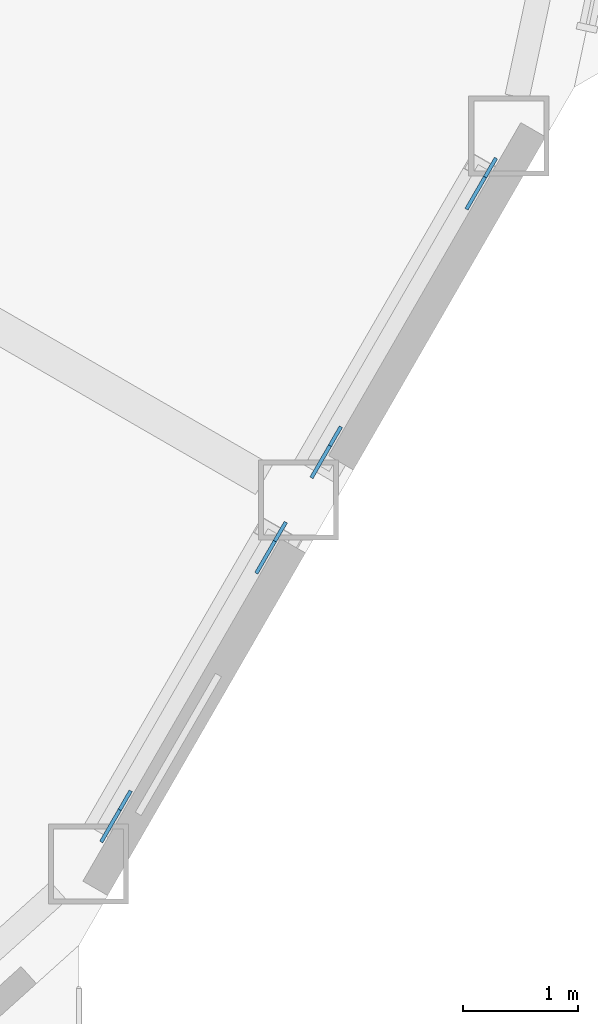
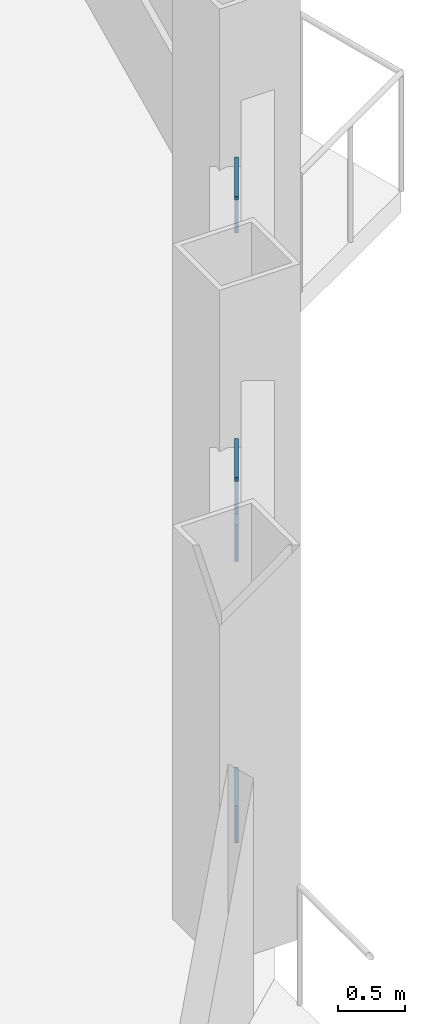
# One storey, part 17 of 24: 4 discrete accessories.
"""IFC4 building model written with IfcOpenShell, lengths in metres."""

from ifc_helpers import new_model, si_unit, direction, frame, origin, origin_2d, place, context, subcontext, project, spatial, rectangle, extrude, material, material_profile, profile_set, type_object, element, save


model = new_model("IFC4")

# Units and contexts
model_context = context("Model", 3, precision=1e-05, world=origin(), true_north=direction((0.0, 1.0)))
body_context = subcontext(model_context, "Body", "Model", "MODEL_VIEW")
ifc_project = project(units=[si_unit("LENGTHUNIT", "METRE"), si_unit("AREAUNIT", "SQUARE_METRE"), si_unit("VOLUMEUNIT", "CUBIC_METRE"), si_unit("PLANEANGLEUNIT", "RADIAN"), si_unit("MASSUNIT", "GRAM", prefix="KILO")], contexts=[model_context])

# Site, building, storey
site_placement = place(None, origin())
site = spatial("IfcSite", under=ifc_project, at=site_placement, CompositionType="ELEMENT")
building_placement = place(site_placement, origin())
building = spatial("IfcBuilding", under=site, at=building_placement, Name="Cormorant Prow Tower", CompositionType="ELEMENT")
storey_placement = place(building_placement, frame((0.0, 0.0, 238.199951171875)))
storey = spatial("IfcBuildingStorey", under=building, at=storey_placement, Name="L52", CompositionType="ELEMENT", Elevation=238.199951171875)

# Discrete accessories
ifc_material = material(Name="Structural steel ASTM A500 Gr C", Category="steel")
ifc_material_profile = material_profile(ifc_material, rectangle(XDim=0.031982421875, YDim=0.506103515625, at=origin_2d()), Name="Gusset plate 32x506")
ifc_profile_set = profile_set([ifc_material_profile], Name="Structural steel ASTM A500 Gr C")
discrete_accessory_type = type_object("IfcDiscreteAccessoryType", Name="Gusset plate 32x506", PredefinedType="BRACKET", material=ifc_profile_set)
discrete_accessory_1_placement = place(storey_placement, frame((26.262939453125, -18.658203125, 0.863037109375), z_axis=(-0.462949952395, -0.801795851286, -0.37788987078), x_axis=(0.866010015463, -0.500026652407, 0.0)))
element("IfcDiscreteAccessory", 1, at=discrete_accessory_1_placement, inside=storey, type_object=discrete_accessory_type, Name="Gusset plate GP2 L52.ESE00.g0", PredefinedType="BRACKET", context=body_context, shape_type="SweptSolid", body=[
    extrude(rectangle(XDim=0.031982421875, YDim=0.506103515625, at=origin_2d()), origin(), (0.0, 0.0, 1.0), 0.35009765625),
])
discrete_accessory_2_placement = place(storey_placement, frame((27.454833984375, -16.59375, 1.837890625), z_axis=(0.462538490196, 0.801593854051, 0.378821116405), x_axis=(-0.866147934042, 0.499787711288, 0.0)))
element("IfcDiscreteAccessory", 2, at=discrete_accessory_2_placement, inside=storey, type_object=discrete_accessory_type, Name="Gusset plate GP2 L52.ESE00.g1", PredefinedType="BRACKET", context=body_context, shape_type="SweptSolid", body=[
    extrude(rectangle(XDim=0.031982421875, YDim=0.506103515625, at=origin_2d()), origin(), (0.0, 0.0, 1.0), 0.349853515625),
])
discrete_accessory_3_placement = place(storey_placement, frame((28.09814453125, -15.4794921875, 0.863037109375), z_axis=(-0.462949952395, -0.801795851286, -0.37788987078), x_axis=(0.866010015463, -0.500026652407, 0.0)))
element("IfcDiscreteAccessory", 3, at=discrete_accessory_3_placement, inside=storey, type_object=discrete_accessory_type, Name="Gusset plate GP2 L52.ESE01.g0", PredefinedType="BRACKET", context=body_context, shape_type="SweptSolid", body=[
    extrude(rectangle(XDim=0.031982421875, YDim=0.506103515625, at=origin_2d()), origin(), (0.0, 0.0, 1.0), 0.35009765625),
])
discrete_accessory_4_placement = place(storey_placement, frame((29.2900390625, -13.4150390625, 1.837890625), z_axis=(0.462538490196, 0.801593854051, 0.378821116405), x_axis=(-0.866147934042, 0.499787711288, 0.0)))
element("IfcDiscreteAccessory", 4, at=discrete_accessory_4_placement, inside=storey, type_object=discrete_accessory_type, Name="Gusset plate GP2 L52.ESE01.g1", PredefinedType="BRACKET", context=body_context, shape_type="SweptSolid", body=[
    extrude(rectangle(XDim=0.031982421875, YDim=0.506103515625, at=origin_2d()), origin(), (0.0, 0.0, 1.0), 0.349853515625),
])

save(model, "model.ifc")
